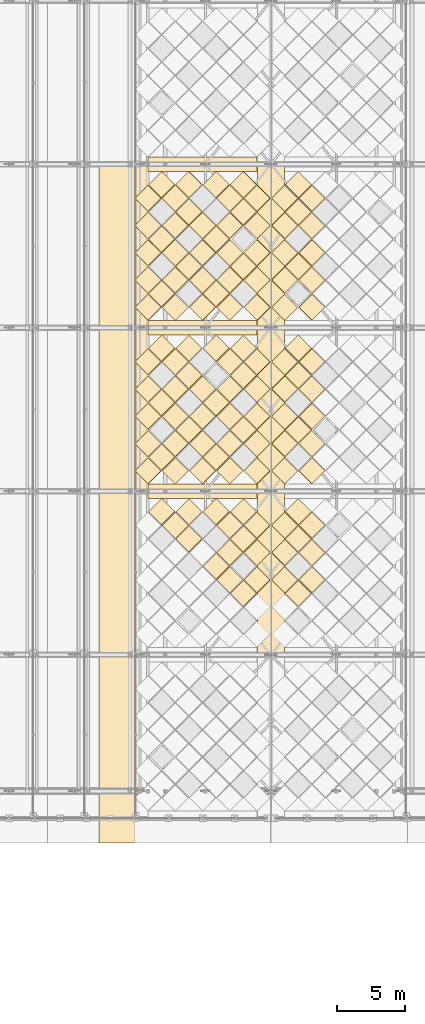
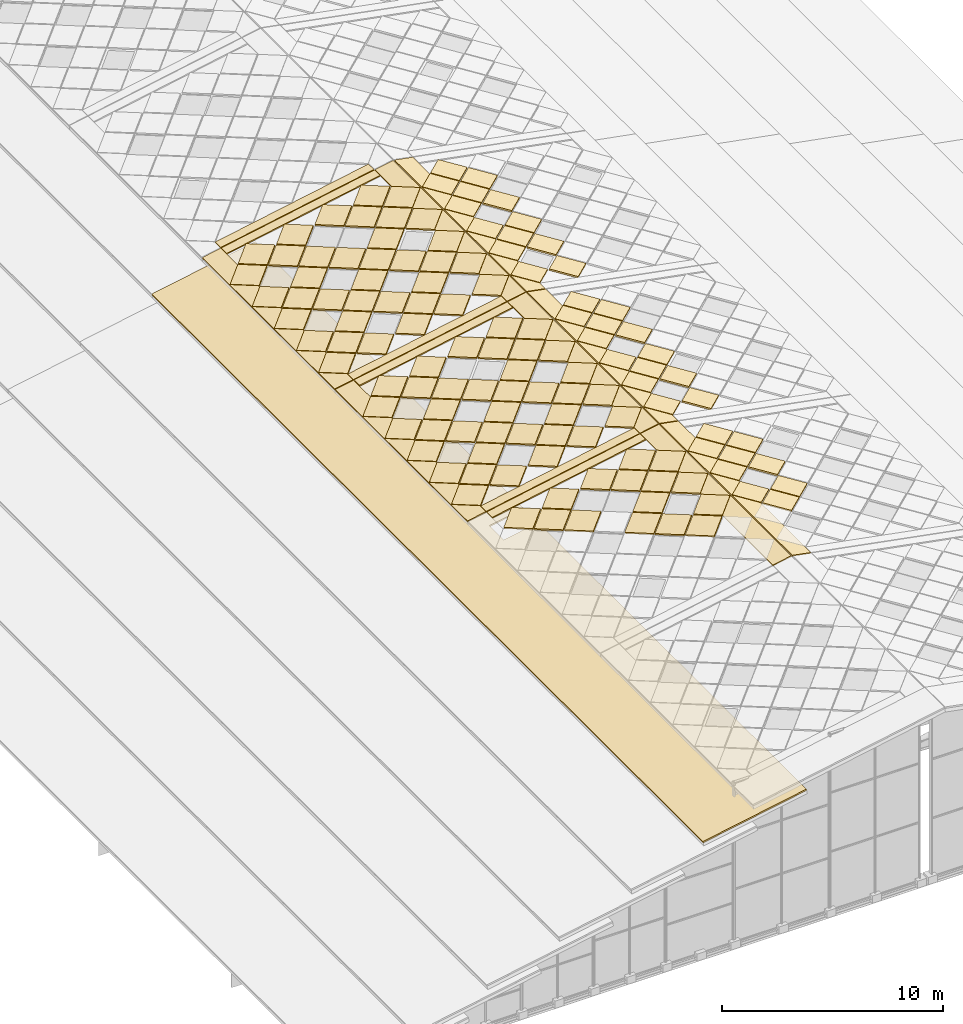
# One storey, part 113 of 117: 137 coverings.
"""IFC4 building model written with IfcOpenShell, lengths in metres."""

from ifc_helpers import new_model, si_unit, direction, frame, origin, place, context, subcontext, project, spatial, polyline, outline, extrude, material, layer, layer_set, type_object, element, save


model = new_model("IFC4")

# Units and contexts
model_context = context("Model", 3, precision=1e-05, world=origin(), true_north=direction((0.0, 1.0)))
body_context = subcontext(model_context, "Body", "Model", "MODEL_VIEW")
ifc_project = project(units=[si_unit("LENGTHUNIT", "METRE"), si_unit("AREAUNIT", "SQUARE_METRE"), si_unit("VOLUMEUNIT", "CUBIC_METRE"), si_unit("PLANEANGLEUNIT", "RADIAN"), si_unit("MASSUNIT", "GRAM", prefix="KILO")], contexts=[model_context])

# Site, building, storey
site_placement = place(None, origin())
site = spatial("IfcSite", under=ifc_project, at=site_placement, CompositionType="ELEMENT")
building_placement = place(site_placement, origin())
building = spatial("IfcBuilding", under=site, at=building_placement, Name="Merenkruunu Market Hall", CompositionType="ELEMENT")
storey_placement = place(building_placement, frame((0.0, 0.0, 22.800048828125)))
storey = spatial("IfcBuildingStorey", under=building, at=storey_placement, Name="RF", CompositionType="ELEMENT", Elevation=22.800048828125)

# Coverings
ifc_material_1 = material(Name="High-albedo white steel roof cladding", Category="steel")
ifc_layer_1 = layer(ifc_material_1, 0.080078125)
ifc_layer_set_1 = layer_set([ifc_layer_1], Name="High-albedo white steel roof cladding")
covering_type_1 = type_object("IfcCoveringType", Name="Insulated White Diamond Roof Panel RFG01", PredefinedType="ROOFING", material=ifc_layer_set_1)
for number, where, z_axis, x_axis, name in (
    (1, (26.8251953125, 33.10009765625, 1.5107421875), (-0.184711070472, 0.0, 0.982792867518), (0.700856370735, -0.70103461498, 0.131722496941), "COV-CROWN-PNL-075"),
    (2, (26.8251953125, 35.10009765625, 1.5107421875), (-0.184711070472, 0.0, 0.982792867518), (0.700856370735, -0.70103461498, 0.131722496941), "COV-CROWN-PNL-076"),
    (3, (26.8251953125, 37.10009765625, 1.5107421875), (-0.184711070472, 0.0, 0.982792867518), (0.700856370735, -0.70103461498, 0.131722496941), "COV-CROWN-PNL-077"),
    (4, (25.8251953125, 32.10009765625, 1.32275390625), (-0.184711070472, 0.0, 0.982792867518), (0.700856370735, -0.70103461498, 0.131722496941), "COV-CROWN-PNL-078"),
    (5, (25.8251953125, 36.10009765625, 1.32275390625), (-0.184711070472, 0.0, 0.982792867518), (0.700856370735, -0.70103461498, 0.131722496941), "COV-CROWN-PNL-079"),
    (6, (25.8251953125, 38.10009765625, 1.32275390625), (-0.184711070472, 0.0, 0.982792867518), (0.700856370735, -0.70103461498, 0.131722496941), "COV-CROWN-PNL-080"),
    (7, (24.8251953125, 33.10009765625, 1.134765625), (-0.184711070472, 0.0, 0.982792867518), (0.700856370735, -0.70103461498, 0.131722496941), "COV-CROWN-PNL-083"),
    (8, (24.8251953125, 35.10009765625, 1.134765625), (-0.184711070472, 0.0, 0.982792867518), (0.700856370735, -0.70103461498, 0.131722496941), "COV-CROWN-PNL-084"),
    (9, (24.8251953125, 37.10009765625, 1.134765625), (-0.184711070472, 0.0, 0.982792867518), (0.700856370735, -0.70103461498, 0.131722496941), "COV-CROWN-PNL-085"),
):
    element("IfcCovering", number, at=place(storey_placement, frame(where, z_axis=z_axis, x_axis=x_axis)), inside=storey, type_object=covering_type_1, Name=name, PredefinedType="ROOFING", context=body_context, shape_type="SweptSolid", body=[
        extrude(outline(polyline([(0.0, 0.0), (1.369697098555844, -1.1796119636642288e-16), (1.393120202621735, 1.3694968053954037), (0.0235942550949389, 1.369322702063927), (0.0, 0.0)])), origin(), (0.0, 0.0, -1.0), 0.080078125),
    ])
for number, where, z_axis, x_axis, name in (
    (10, (23.8251953125, 34.10009765625, 0.946533203125), (-0.184831776078, 0.0, 0.982770173821), (0.700856096019, -0.701018147677, 0.131811567397), "COV-CROWN-PNL-087"),
    (11, (23.8251953125, 38.10009765625, 0.946533203125), (-0.184831776078, 0.0, 0.982770173821), (0.700856096019, -0.701018147677, 0.131811567397), "COV-CROWN-PNL-088"),
    (12, (21.8251953125, 36.10009765625, 0.570556640625), (-0.184831776078, 0.0, 0.982770173821), (0.700856096019, -0.701018147677, 0.131811567397), "COV-CROWN-PNL-094"),
    (13, (21.8251953125, 38.10009765625, 0.570556640625), (-0.184831776078, 0.0, 0.982770173821), (0.700856096019, -0.701018147677, 0.131811567397), "COV-CROWN-PNL-095"),
    (14, (20.8251953125, 37.10009765625, 0.382568359375), (-0.184831776078, 0.0, 0.982770173821), (0.700856096019, -0.701018147677, 0.131811567397), "COV-CROWN-PNL-100"),
    (15, (19.8251953125, 38.10009765625, 0.194580078125), (-0.184831776078, 0.0, 0.982770173821), (0.700856096019, -0.701018147677, 0.131811567397), "COV-CROWN-PNL-103"),
):
    element("IfcCovering", number, at=place(storey_placement, frame(where, z_axis=z_axis, x_axis=x_axis)), inside=storey, type_object=covering_type_1, Name=name, PredefinedType="ROOFING", context=body_context, shape_type="SweptSolid", body=[
        extrude(outline(polyline([(0.0, 0.0), (1.3697292734952495, 5.551115123125783e-17), (1.3931839959170225, 1.3694962589931816), (0.023658049988929668, 1.3693537851152227), (0.0, 0.0)])), origin(), (0.0, 0.0, -1.0), 0.080078125),
    ])
for number, where, z_axis, x_axis, name in (
    (16, (28.85498046875, 33.10009765625, 1.87158203125), (0.184711070472, 0.0, 0.982792867518), (0.700856370735, -0.70103461498, -0.131722496941), "COV-CROWN-PNL-111"),
    (17, (28.85498046875, 35.10009765625, 1.87158203125), (0.184711070472, 0.0, 0.982792867518), (0.700856370735, -0.70103461498, -0.131722496941), "COV-CROWN-PNL-112"),
    (18, (28.85498046875, 37.10009765625, 1.87158203125), (0.184711070472, 0.0, 0.982792867518), (0.700856370735, -0.70103461498, -0.131722496941), "COV-CROWN-PNL-113"),
    (19, (29.85498046875, 32.10009765625, 1.68359375), (0.184711070472, 0.0, 0.982792867518), (0.700856370735, -0.70103461498, -0.131722496941), "COV-CROWN-PNL-114"),
    (20, (29.85498046875, 36.10009765625, 1.68359375), (0.184711070472, 0.0, 0.982792867518), (0.700856370735, -0.70103461498, -0.131722496941), "COV-CROWN-PNL-115"),
    (21, (29.85498046875, 38.10009765625, 1.68359375), (0.184711070472, 0.0, 0.982792867518), (0.700856370735, -0.70103461498, -0.131722496941), "COV-CROWN-PNL-116"),
    (22, (30.85498046875, 33.10009765625, 1.49560546875), (0.184711070472, 0.0, 0.982792867518), (0.700856370735, -0.70103461498, -0.131722496941), "COV-CROWN-PNL-119"),
    (23, (30.85498046875, 35.10009765625, 1.49560546875), (0.184711070472, 0.0, 0.982792867518), (0.700856370735, -0.70103461498, -0.131722496941), "COV-CROWN-PNL-120"),
    (24, (30.85498046875, 37.10009765625, 1.49560546875), (0.184711070472, 0.0, 0.982792867518), (0.700856370735, -0.70103461498, -0.131722496941), "COV-CROWN-PNL-121"),
    (25, (26.8251953125, 41.10009765625, 1.5107421875), (-0.184711070472, 0.0, 0.982792867518), (0.700856370735, -0.70103461498, 0.131722496941), "COV-CROWN-PNL-145"),
    (26, (26.8251953125, 43.10009765625, 1.5107421875), (-0.184711070472, 0.0, 0.982792867518), (0.700856370735, -0.70103461498, 0.131722496941), "COV-CROWN-PNL-146"),
    (27, (26.8251953125, 45.10009765625, 1.5107421875), (-0.184711070472, 0.0, 0.982792867518), (0.700856370735, -0.70103461498, 0.131722496941), "COV-CROWN-PNL-147"),
    (28, (26.8251953125, 47.10009765625, 1.5107421875), (-0.184711070472, 0.0, 0.982792867518), (0.700856370735, -0.70103461498, 0.131722496941), "COV-CROWN-PNL-148"),
    (29, (26.8251953125, 49.10009765625, 1.5107421875), (-0.184711070472, 0.0, 0.982792867518), (0.700856370735, -0.70103461498, 0.131722496941), "COV-CROWN-PNL-149"),
    (30, (25.8251953125, 44.10009765625, 1.32275390625), (-0.184711070472, 0.0, 0.982792867518), (0.700856370735, -0.70103461498, 0.131722496941), "COV-CROWN-PNL-150"),
    (31, (25.8251953125, 48.10009765625, 1.32275390625), (-0.184711070472, 0.0, 0.982792867518), (0.700856370735, -0.70103461498, 0.131722496941), "COV-CROWN-PNL-151"),
    (32, (25.8251953125, 50.10009765625, 1.32275390625), (-0.184711070472, 0.0, 0.982792867518), (0.700856370735, -0.70103461498, 0.131722496941), "COV-CROWN-PNL-152"),
    (33, (24.8251953125, 41.10009765625, 1.134765625), (-0.184711070472, 0.0, 0.982792867518), (0.700856370735, -0.70103461498, 0.131722496941), "COV-CROWN-PNL-153"),
    (34, (24.8251953125, 43.10009765625, 1.134765625), (-0.184711070472, 0.0, 0.982792867518), (0.700856370735, -0.70103461498, 0.131722496941), "COV-CROWN-PNL-154"),
    (35, (24.8251953125, 45.10009765625, 1.134765625), (-0.184711070472, 0.0, 0.982792867518), (0.700856370735, -0.70103461498, 0.131722496941), "COV-CROWN-PNL-155"),
    (36, (24.8251953125, 47.10009765625, 1.134765625), (-0.184711070472, 0.0, 0.982792867518), (0.700856370735, -0.70103461498, 0.131722496941), "COV-CROWN-PNL-156"),
    (37, (24.8251953125, 49.10009765625, 1.134765625), (-0.184711070472, 0.0, 0.982792867518), (0.700856370735, -0.70103461498, 0.131722496941), "COV-CROWN-PNL-157"),
):
    element("IfcCovering", number, at=place(storey_placement, frame(where, z_axis=z_axis, x_axis=x_axis)), inside=storey, type_object=covering_type_1, Name=name, PredefinedType="ROOFING", context=body_context, shape_type="SweptSolid", body=[
        extrude(outline(polyline([(0.0, 0.0), (1.369697098555844, -1.1796119636642288e-16), (1.393120202621735, 1.3694968053954037), (0.0235942550949389, 1.369322702063927), (0.0, 0.0)])), origin(), (0.0, 0.0, -1.0), 0.080078125),
    ])
for number, where, z_axis, x_axis, name in (
    (38, (23.8251953125, 42.10009765625, 0.946533203125), (-0.184831776078, 0.0, 0.982770173821), (0.700856096019, -0.701018147677, 0.131811567397), "COV-CROWN-PNL-158"),
    (39, (23.8251953125, 46.10009765625, 0.946533203125), (-0.184831776078, 0.0, 0.982770173821), (0.700856096019, -0.701018147677, 0.131811567397), "COV-CROWN-PNL-159"),
    (40, (23.8251953125, 50.10009765625, 0.946533203125), (-0.184831776078, 0.0, 0.982770173821), (0.700856096019, -0.701018147677, 0.131811567397), "COV-CROWN-PNL-160"),
    (41, (22.8251953125, 41.10009765625, 0.758544921875), (-0.184831776078, 0.0, 0.982770173821), (0.700856096019, -0.701018147677, 0.131811567397), "COV-CROWN-PNL-161"),
    (42, (22.8251953125, 43.10009765625, 0.758544921875), (-0.184831776078, 0.0, 0.982770173821), (0.700856096019, -0.701018147677, 0.131811567397), "COV-CROWN-PNL-162"),
    (43, (22.8251953125, 45.10009765625, 0.758544921875), (-0.184831776078, 0.0, 0.982770173821), (0.700856096019, -0.701018147677, 0.131811567397), "COV-CROWN-PNL-163"),
    (44, (22.8251953125, 47.10009765625, 0.758544921875), (-0.184831776078, 0.0, 0.982770173821), (0.700856096019, -0.701018147677, 0.131811567397), "COV-CROWN-PNL-164"),
    (45, (21.8251953125, 44.10009765625, 0.570556640625), (-0.184831776078, 0.0, 0.982770173821), (0.700856096019, -0.701018147677, 0.131811567397), "COV-CROWN-PNL-165"),
    (46, (21.8251953125, 48.10009765625, 0.570556640625), (-0.184831776078, 0.0, 0.982770173821), (0.700856096019, -0.701018147677, 0.131811567397), "COV-CROWN-PNL-166"),
    (47, (21.8251953125, 50.10009765625, 0.570556640625), (-0.184831776078, 0.0, 0.982770173821), (0.700856096019, -0.701018147677, 0.131811567397), "COV-CROWN-PNL-167"),
    (48, (20.8251953125, 41.10009765625, 0.382568359375), (-0.184831776078, 0.0, 0.982770173821), (0.700856096019, -0.701018147677, 0.131811567397), "COV-CROWN-PNL-168"),
    (49, (20.8251953125, 43.10009765625, 0.382568359375), (-0.184831776078, 0.0, 0.982770173821), (0.700856096019, -0.701018147677, 0.131811567397), "COV-CROWN-PNL-169"),
    (50, (20.8251953125, 45.10009765625, 0.382568359375), (-0.184831776078, 0.0, 0.982770173821), (0.700856096019, -0.701018147677, 0.131811567397), "COV-CROWN-PNL-170"),
    (51, (20.8251953125, 47.10009765625, 0.382568359375), (-0.184831776078, 0.0, 0.982770173821), (0.700856096019, -0.701018147677, 0.131811567397), "COV-CROWN-PNL-171"),
    (52, (20.8251953125, 49.10009765625, 0.382568359375), (-0.184831776078, 0.0, 0.982770173821), (0.700856096019, -0.701018147677, 0.131811567397), "COV-CROWN-PNL-172"),
    (53, (19.8251953125, 42.10009765625, 0.194580078125), (-0.184831776078, 0.0, 0.982770173821), (0.700856096019, -0.701018147677, 0.131811567397), "COV-CROWN-PNL-173"),
    (54, (19.8251953125, 46.10009765625, 0.194580078125), (-0.184831776078, 0.0, 0.982770173821), (0.700856096019, -0.701018147677, 0.131811567397), "COV-CROWN-PNL-174"),
    (55, (19.8251953125, 50.10009765625, 0.194580078125), (-0.184831776078, 0.0, 0.982770173821), (0.700856096019, -0.701018147677, 0.131811567397), "COV-CROWN-PNL-175"),
    (56, (18.8251953125, 41.10009765625, 0.006591796875), (-0.184831776078, 0.0, 0.982770173821), (0.700856096019, -0.701018147677, 0.131811567397), "COV-CROWN-PNL-176"),
    (57, (18.8251953125, 43.10009765625, 0.006591796875), (-0.184831776078, 0.0, 0.982770173821), (0.700856096019, -0.701018147677, 0.131811567397), "COV-CROWN-PNL-177"),
    (58, (18.8251953125, 45.10009765625, 0.006591796875), (-0.184831776078, 0.0, 0.982770173821), (0.700856096019, -0.701018147677, 0.131811567397), "COV-CROWN-PNL-178"),
    (59, (18.8251953125, 47.10009765625, 0.006591796875), (-0.184831776078, 0.0, 0.982770173821), (0.700856096019, -0.701018147677, 0.131811567397), "COV-CROWN-PNL-179"),
    (60, (18.8251953125, 49.10009765625, 0.006591796875), (-0.184831776078, 0.0, 0.982770173821), (0.700856096019, -0.701018147677, 0.131811567397), "COV-CROWN-PNL-180"),
):
    element("IfcCovering", number, at=place(storey_placement, frame(where, z_axis=z_axis, x_axis=x_axis)), inside=storey, type_object=covering_type_1, Name=name, PredefinedType="ROOFING", context=body_context, shape_type="SweptSolid", body=[
        extrude(outline(polyline([(0.0, 0.0), (1.3697292734952495, 5.551115123125783e-17), (1.3931839959170225, 1.3694962589931816), (0.023658049988929668, 1.3693537851152227), (0.0, 0.0)])), origin(), (0.0, 0.0, -1.0), 0.080078125),
    ])
for number, where, z_axis, x_axis, name in (
    (61, (28.85498046875, 41.10009765625, 1.87158203125), (0.184711070472, 0.0, 0.982792867518), (0.700856370735, -0.70103461498, -0.131722496941), "COV-CROWN-PNL-181"),
    (62, (28.85498046875, 43.10009765625, 1.87158203125), (0.184711070472, 0.0, 0.982792867518), (0.700856370735, -0.70103461498, -0.131722496941), "COV-CROWN-PNL-182"),
    (63, (28.85498046875, 45.10009765625, 1.87158203125), (0.184711070472, 0.0, 0.982792867518), (0.700856370735, -0.70103461498, -0.131722496941), "COV-CROWN-PNL-183"),
    (64, (28.85498046875, 47.10009765625, 1.87158203125), (0.184711070472, 0.0, 0.982792867518), (0.700856370735, -0.70103461498, -0.131722496941), "COV-CROWN-PNL-184"),
    (65, (28.85498046875, 49.10009765625, 1.87158203125), (0.184711070472, 0.0, 0.982792867518), (0.700856370735, -0.70103461498, -0.131722496941), "COV-CROWN-PNL-185"),
    (66, (29.85498046875, 44.10009765625, 1.68359375), (0.184711070472, 0.0, 0.982792867518), (0.700856370735, -0.70103461498, -0.131722496941), "COV-CROWN-PNL-186"),
    (67, (29.85498046875, 48.10009765625, 1.68359375), (0.184711070472, 0.0, 0.982792867518), (0.700856370735, -0.70103461498, -0.131722496941), "COV-CROWN-PNL-187"),
    (68, (29.85498046875, 50.10009765625, 1.68359375), (0.184711070472, 0.0, 0.982792867518), (0.700856370735, -0.70103461498, -0.131722496941), "COV-CROWN-PNL-188"),
    (69, (30.85498046875, 41.10009765625, 1.49560546875), (0.184711070472, 0.0, 0.982792867518), (0.700856370735, -0.70103461498, -0.131722496941), "COV-CROWN-PNL-189"),
    (70, (30.85498046875, 43.10009765625, 1.49560546875), (0.184711070472, 0.0, 0.982792867518), (0.700856370735, -0.70103461498, -0.131722496941), "COV-CROWN-PNL-190"),
    (71, (30.85498046875, 45.10009765625, 1.49560546875), (0.184711070472, 0.0, 0.982792867518), (0.700856370735, -0.70103461498, -0.131722496941), "COV-CROWN-PNL-191"),
    (72, (30.85498046875, 47.10009765625, 1.49560546875), (0.184711070472, 0.0, 0.982792867518), (0.700856370735, -0.70103461498, -0.131722496941), "COV-CROWN-PNL-192"),
    (73, (30.85498046875, 49.10009765625, 1.49560546875), (0.184711070472, 0.0, 0.982792867518), (0.700856370735, -0.70103461498, -0.131722496941), "COV-CROWN-PNL-193"),
    (74, (26.8251953125, 53.10009765625, 1.5107421875), (-0.184711070472, 0.0, 0.982792867518), (0.700856370735, -0.70103461498, 0.131722496941), "COV-CROWN-PNL-217"),
    (75, (26.8251953125, 55.10009765625, 1.5107421875), (-0.184711070472, 0.0, 0.982792867518), (0.700856370735, -0.70103461498, 0.131722496941), "COV-CROWN-PNL-218"),
    (76, (26.8251953125, 57.10009765625, 1.5107421875), (-0.184711070472, 0.0, 0.982792867518), (0.700856370735, -0.70103461498, 0.131722496941), "COV-CROWN-PNL-219"),
    (77, (26.8251953125, 59.10009765625, 1.5107421875), (-0.184711070472, 0.0, 0.982792867518), (0.700856370735, -0.70103461498, 0.131722496941), "COV-CROWN-PNL-220"),
    (78, (26.8251953125, 61.10009765625, 1.5107421875), (-0.184711070472, 0.0, 0.982792867518), (0.700856370735, -0.70103461498, 0.131722496941), "COV-CROWN-PNL-221"),
    (79, (25.8251953125, 56.10009765625, 1.32275390625), (-0.184711070472, 0.0, 0.982792867518), (0.700856370735, -0.70103461498, 0.131722496941), "COV-CROWN-PNL-222"),
    (80, (25.8251953125, 60.10009765625, 1.32275390625), (-0.184711070472, 0.0, 0.982792867518), (0.700856370735, -0.70103461498, 0.131722496941), "COV-CROWN-PNL-223"),
    (81, (25.8251953125, 62.10009765625, 1.32275390625), (-0.184711070472, 0.0, 0.982792867518), (0.700856370735, -0.70103461498, 0.131722496941), "COV-CROWN-PNL-224"),
    (82, (24.8251953125, 53.10009765625, 1.134765625), (-0.184711070472, 0.0, 0.982792867518), (0.700856370735, -0.70103461498, 0.131722496941), "COV-CROWN-PNL-225"),
    (83, (24.8251953125, 55.10009765625, 1.134765625), (-0.184711070472, 0.0, 0.982792867518), (0.700856370735, -0.70103461498, 0.131722496941), "COV-CROWN-PNL-226"),
    (84, (24.8251953125, 57.10009765625, 1.134765625), (-0.184711070472, 0.0, 0.982792867518), (0.700856370735, -0.70103461498, 0.131722496941), "COV-CROWN-PNL-227"),
    (85, (24.8251953125, 59.10009765625, 1.134765625), (-0.184711070472, 0.0, 0.982792867518), (0.700856370735, -0.70103461498, 0.131722496941), "COV-CROWN-PNL-228"),
    (86, (24.8251953125, 61.10009765625, 1.134765625), (-0.184711070472, 0.0, 0.982792867518), (0.700856370735, -0.70103461498, 0.131722496941), "COV-CROWN-PNL-229"),
):
    element("IfcCovering", number, at=place(storey_placement, frame(where, z_axis=z_axis, x_axis=x_axis)), inside=storey, type_object=covering_type_1, Name=name, PredefinedType="ROOFING", context=body_context, shape_type="SweptSolid", body=[
        extrude(outline(polyline([(0.0, 0.0), (1.369697098555844, -1.1796119636642288e-16), (1.393120202621735, 1.3694968053954037), (0.0235942550949389, 1.369322702063927), (0.0, 0.0)])), origin(), (0.0, 0.0, -1.0), 0.080078125),
    ])
for number, where, z_axis, x_axis, name in (
    (87, (23.8251953125, 54.10009765625, 0.946533203125), (-0.184831776078, 0.0, 0.982770173821), (0.700856096019, -0.701018147677, 0.131811567397), "COV-CROWN-PNL-230"),
    (88, (23.8251953125, 58.10009765625, 0.946533203125), (-0.184831776078, 0.0, 0.982770173821), (0.700856096019, -0.701018147677, 0.131811567397), "COV-CROWN-PNL-231"),
    (89, (23.8251953125, 62.10009765625, 0.946533203125), (-0.184831776078, 0.0, 0.982770173821), (0.700856096019, -0.701018147677, 0.131811567397), "COV-CROWN-PNL-232"),
    (90, (22.8251953125, 53.10009765625, 0.758544921875), (-0.184831776078, 0.0, 0.982770173821), (0.700856096019, -0.701018147677, 0.131811567397), "COV-CROWN-PNL-233"),
    (91, (22.8251953125, 55.10009765625, 0.758544921875), (-0.184831776078, 0.0, 0.982770173821), (0.700856096019, -0.701018147677, 0.131811567397), "COV-CROWN-PNL-234"),
    (92, (22.8251953125, 57.10009765625, 0.758544921875), (-0.184831776078, 0.0, 0.982770173821), (0.700856096019, -0.701018147677, 0.131811567397), "COV-CROWN-PNL-235"),
    (93, (22.8251953125, 59.10009765625, 0.758544921875), (-0.184831776078, 0.0, 0.982770173821), (0.700856096019, -0.701018147677, 0.131811567397), "COV-CROWN-PNL-236"),
    (94, (21.8251953125, 56.10009765625, 0.570556640625), (-0.184831776078, 0.0, 0.982770173821), (0.700856096019, -0.701018147677, 0.131811567397), "COV-CROWN-PNL-237"),
    (95, (21.8251953125, 60.10009765625, 0.570556640625), (-0.184831776078, 0.0, 0.982770173821), (0.700856096019, -0.701018147677, 0.131811567397), "COV-CROWN-PNL-238"),
    (96, (21.8251953125, 62.10009765625, 0.570556640625), (-0.184831776078, 0.0, 0.982770173821), (0.700856096019, -0.701018147677, 0.131811567397), "COV-CROWN-PNL-239"),
    (97, (20.8251953125, 53.10009765625, 0.382568359375), (-0.184831776078, 0.0, 0.982770173821), (0.700856096019, -0.701018147677, 0.131811567397), "COV-CROWN-PNL-240"),
    (98, (20.8251953125, 55.10009765625, 0.382568359375), (-0.184831776078, 0.0, 0.982770173821), (0.700856096019, -0.701018147677, 0.131811567397), "COV-CROWN-PNL-241"),
    (99, (20.8251953125, 57.10009765625, 0.382568359375), (-0.184831776078, 0.0, 0.982770173821), (0.700856096019, -0.701018147677, 0.131811567397), "COV-CROWN-PNL-242"),
    (100, (20.8251953125, 59.10009765625, 0.382568359375), (-0.184831776078, 0.0, 0.982770173821), (0.700856096019, -0.701018147677, 0.131811567397), "COV-CROWN-PNL-243"),
    (101, (20.8251953125, 61.10009765625, 0.382568359375), (-0.184831776078, 0.0, 0.982770173821), (0.700856096019, -0.701018147677, 0.131811567397), "COV-CROWN-PNL-244"),
    (102, (19.8251953125, 54.10009765625, 0.194580078125), (-0.184831776078, 0.0, 0.982770173821), (0.700856096019, -0.701018147677, 0.131811567397), "COV-CROWN-PNL-245"),
    (103, (19.8251953125, 58.10009765625, 0.194580078125), (-0.184831776078, 0.0, 0.982770173821), (0.700856096019, -0.701018147677, 0.131811567397), "COV-CROWN-PNL-246"),
    (104, (19.8251953125, 62.10009765625, 0.194580078125), (-0.184831776078, 0.0, 0.982770173821), (0.700856096019, -0.701018147677, 0.131811567397), "COV-CROWN-PNL-247"),
    (105, (18.8251953125, 53.10009765625, 0.006591796875), (-0.184831776078, 0.0, 0.982770173821), (0.700856096019, -0.701018147677, 0.131811567397), "COV-CROWN-PNL-248"),
    (106, (18.8251953125, 55.10009765625, 0.006591796875), (-0.184831776078, 0.0, 0.982770173821), (0.700856096019, -0.701018147677, 0.131811567397), "COV-CROWN-PNL-249"),
    (107, (18.8251953125, 57.10009765625, 0.006591796875), (-0.184831776078, 0.0, 0.982770173821), (0.700856096019, -0.701018147677, 0.131811567397), "COV-CROWN-PNL-250"),
    (108, (18.8251953125, 59.10009765625, 0.006591796875), (-0.184831776078, 0.0, 0.982770173821), (0.700856096019, -0.701018147677, 0.131811567397), "COV-CROWN-PNL-251"),
    (109, (18.8251953125, 61.10009765625, 0.006591796875), (-0.184831776078, 0.0, 0.982770173821), (0.700856096019, -0.701018147677, 0.131811567397), "COV-CROWN-PNL-252"),
):
    element("IfcCovering", number, at=place(storey_placement, frame(where, z_axis=z_axis, x_axis=x_axis)), inside=storey, type_object=covering_type_1, Name=name, PredefinedType="ROOFING", context=body_context, shape_type="SweptSolid", body=[
        extrude(outline(polyline([(0.0, 0.0), (1.3697292734952495, 5.551115123125783e-17), (1.3931839959170225, 1.3694962589931816), (0.023658049988929668, 1.3693537851152227), (0.0, 0.0)])), origin(), (0.0, 0.0, -1.0), 0.080078125),
    ])
for number, where, z_axis, x_axis, name in (
    (110, (28.85498046875, 53.10009765625, 1.87158203125), (0.184711070472, 0.0, 0.982792867518), (0.700856370735, -0.70103461498, -0.131722496941), "COV-CROWN-PNL-253"),
    (111, (28.85498046875, 55.10009765625, 1.87158203125), (0.184711070472, 0.0, 0.982792867518), (0.700856370735, -0.70103461498, -0.131722496941), "COV-CROWN-PNL-254"),
    (112, (28.85498046875, 57.10009765625, 1.87158203125), (0.184711070472, 0.0, 0.982792867518), (0.700856370735, -0.70103461498, -0.131722496941), "COV-CROWN-PNL-255"),
    (113, (28.85498046875, 59.10009765625, 1.87158203125), (0.184711070472, 0.0, 0.982792867518), (0.700856370735, -0.70103461498, -0.131722496941), "COV-CROWN-PNL-256"),
    (114, (28.85498046875, 61.10009765625, 1.87158203125), (0.184711070472, 0.0, 0.982792867518), (0.700856370735, -0.70103461498, -0.131722496941), "COV-CROWN-PNL-257"),
    (115, (29.85498046875, 56.10009765625, 1.68359375), (0.184711070472, 0.0, 0.982792867518), (0.700856370735, -0.70103461498, -0.131722496941), "COV-CROWN-PNL-258"),
    (116, (29.85498046875, 60.10009765625, 1.68359375), (0.184711070472, 0.0, 0.982792867518), (0.700856370735, -0.70103461498, -0.131722496941), "COV-CROWN-PNL-259"),
    (117, (29.85498046875, 62.10009765625, 1.68359375), (0.184711070472, 0.0, 0.982792867518), (0.700856370735, -0.70103461498, -0.131722496941), "COV-CROWN-PNL-260"),
    (118, (30.85498046875, 53.10009765625, 1.49560546875), (0.184711070472, 0.0, 0.982792867518), (0.700856370735, -0.70103461498, -0.131722496941), "COV-CROWN-PNL-261"),
    (119, (30.85498046875, 55.10009765625, 1.49560546875), (0.184711070472, 0.0, 0.982792867518), (0.700856370735, -0.70103461498, -0.131722496941), "COV-CROWN-PNL-262"),
    (120, (30.85498046875, 57.10009765625, 1.49560546875), (0.184711070472, 0.0, 0.982792867518), (0.700856370735, -0.70103461498, -0.131722496941), "COV-CROWN-PNL-263"),
    (121, (30.85498046875, 59.10009765625, 1.49560546875), (0.184711070472, 0.0, 0.982792867518), (0.700856370735, -0.70103461498, -0.131722496941), "COV-CROWN-PNL-264"),
    (122, (30.85498046875, 61.10009765625, 1.49560546875), (0.184711070472, 0.0, 0.982792867518), (0.700856370735, -0.70103461498, -0.131722496941), "COV-CROWN-PNL-265"),
):
    element("IfcCovering", number, at=place(storey_placement, frame(where, z_axis=z_axis, x_axis=x_axis)), inside=storey, type_object=covering_type_1, Name=name, PredefinedType="ROOFING", context=body_context, shape_type="SweptSolid", body=[
        extrude(outline(polyline([(0.0, 0.0), (1.369697098555844, -1.1796119636642288e-16), (1.393120202621735, 1.3694968053954037), (0.0235942550949389, 1.369322702063927), (0.0, 0.0)])), origin(), (0.0, 0.0, -1.0), 0.080078125),
    ])
covering_1_placement = place(storey_placement, frame((16.185302734375, 13.800048828125, -1.120849609375), z_axis=(-0.182264364095, 0.0, 0.983249562207), x_axis=(0.983249562207, 0.0, 0.182264364095)))
element("IfcCovering", 123, at=covering_1_placement, inside=storey, type_object=covering_type_1, Name="COV-SLRF-047", PredefinedType="ROOFING", context=body_context, shape_type="SweptSolid", body=[
    extrude(outline(polyline([(0.0, 0.0), (5.491893972092966, 0.0), (5.491893972092966, 49.800048828125), (0.0, 49.800048828125), (0.0, 0.0)]), holes=[polyline([(3.661407849458488, 24.25), (4.983359899398421, 24.25), (4.983359899398421, 25.550048828125), (3.661407849458488, 25.550048828125), (3.661407849458488, 24.25)])]), origin(), (0.0, 0.0, -1.0), 0.080078125),
])
ifc_material_2 = material(Name="High-albedo white roof membrane")
ifc_layer_2 = layer(ifc_material_2, 0.06005859375)
ifc_layer_set_2 = layer_set([ifc_layer_2], Name="High-albedo white roof membrane")
covering_type_2 = type_object("IfcCoveringType", Name="Warm Membrane Roof Covering RFG02", PredefinedType="ROOFING", material=ifc_layer_set_2)
covering_2_placement = place(storey_placement, frame((27.808837890625, 27.6201171875, 1.675048828125), z_axis=(-0.184952473321, 0.0, 0.982747466348), x_axis=(0.982747466348, 0.0, 0.184952473321)))
element("IfcCovering", 124, at=covering_2_placement, inside=storey, type_object=covering_type_2, Name="COV-CROWN-TRIM-009", PredefinedType="ROOFING", context=body_context, shape_type="SweptSolid", body=[
    extrude(outline(polyline([(0.0, 0.0), (0.9768134443202975, 0.0), (0.9768134443202975, 11.9599609375), (0.0, 11.9599609375), (0.0, 0.0)])), origin(), (0.0, 0.0, -1.0), 0.06005859375),
])
covering_3_placement = place(storey_placement, frame((19.788818359375, 39.080078125, 0.16748046875), z_axis=(-0.184752092456, 0.0, 0.982785156753), x_axis=(0.982785156753, 0.0, 0.184752092456)))
element("IfcCovering", 125, at=covering_3_placement, inside=storey, type_object=covering_type_2, Name="COV-CROWN-TRIM-012", PredefinedType="ROOFING", context=body_context, shape_type="SweptSolid", body=[
    extrude(outline(polyline([(0.0, 0.0), (8.140131080565538, 0.0), (8.140131080565538, 0.5000000000000001), (0.0, 0.5000000000000001), (0.0, 0.0)])), origin(), (0.0, 0.0, -1.0), 0.06005859375),
])
for number, where, z_axis, x_axis, name in (
    (126, (28.831298828125, 27.6201171875, 1.855712890625), (0.184952473321, 0.0, 0.982747466348), (0.982747466348, 0.0, -0.184952473321), "COV-CROWN-TRIM-013"),
    (127, (27.808837890625, 39.6201171875, 1.675048828125), (-0.184952473321, 0.0, 0.982747466348), (0.982747466348, 0.0, 0.184952473321), "COV-CROWN-TRIM-017"),
):
    element("IfcCovering", number, at=place(storey_placement, frame(where, z_axis=z_axis, x_axis=x_axis)), inside=storey, type_object=covering_type_2, Name=name, PredefinedType="ROOFING", context=body_context, shape_type="SweptSolid", body=[
        extrude(outline(polyline([(0.0, 0.0), (0.9768134443202975, 0.0), (0.9768134443202975, 11.9599609375), (0.0, 11.9599609375), (0.0, 0.0)])), origin(), (0.0, 0.0, -1.0), 0.06005859375),
    ])
covering_4_placement = place(storey_placement, frame((18.808837890625, 39.6201171875, -0.016845703125), z_axis=(-0.184711070472, 0.0, 0.982792867518), x_axis=(0.982792867518, 0.0, 0.184711070472)))
element("IfcCovering", 128, at=covering_4_placement, inside=storey, type_object=covering_type_2, Name="COV-CROWN-TRIM-018", PredefinedType="ROOFING", context=body_context, shape_type="SweptSolid", body=[
    extrude(outline(polyline([(0.0, 0.0), (0.9767683193753063, 0.0), (0.9767683193753063, 11.9599609375), (0.0, 11.9599609375), (0.0, 0.0)])), origin(), (0.0, 0.0, -1.0), 0.06005859375),
])
for number, where, z_axis, x_axis, name in (
    (129, (19.788818359375, 39.6201171875, 0.16748046875), (-0.184752092456, 0.0, 0.982785156753), (0.982785156753, 0.0, 0.184752092456), "COV-CROWN-TRIM-019"),
    (130, (19.788818359375, 51.080078125, 0.16748046875), (-0.184752092456, 0.0, 0.982785156753), (0.982785156753, 0.0, 0.184752092456), "COV-CROWN-TRIM-020"),
):
    element("IfcCovering", number, at=place(storey_placement, frame(where, z_axis=z_axis, x_axis=x_axis)), inside=storey, type_object=covering_type_2, Name=name, PredefinedType="ROOFING", context=body_context, shape_type="SweptSolid", body=[
        extrude(outline(polyline([(0.0, 0.0), (8.140131080565538, 0.0), (8.140131080565538, 0.5000000000000001), (0.0, 0.5000000000000001), (0.0, 0.0)])), origin(), (0.0, 0.0, -1.0), 0.06005859375),
    ])
for number, where, z_axis, x_axis, name in (
    (131, (28.831298828125, 39.6201171875, 1.855712890625), (0.184952473321, 0.0, 0.982747466348), (0.982747466348, 0.0, -0.184952473321), "COV-CROWN-TRIM-021"),
    (132, (27.808837890625, 51.6201171875, 1.675048828125), (-0.184952473321, 0.0, 0.982747466348), (0.982747466348, 0.0, 0.184952473321), "COV-CROWN-TRIM-025"),
):
    element("IfcCovering", number, at=place(storey_placement, frame(where, z_axis=z_axis, x_axis=x_axis)), inside=storey, type_object=covering_type_2, Name=name, PredefinedType="ROOFING", context=body_context, shape_type="SweptSolid", body=[
        extrude(outline(polyline([(0.0, 0.0), (0.9768134443202975, 0.0), (0.9768134443202975, 11.9599609375), (0.0, 11.9599609375), (0.0, 0.0)])), origin(), (0.0, 0.0, -1.0), 0.06005859375),
    ])
covering_5_placement = place(storey_placement, frame((18.808837890625, 51.6201171875, -0.016845703125), z_axis=(-0.184711070472, 0.0, 0.982792867518), x_axis=(0.982792867518, 0.0, 0.184711070472)))
element("IfcCovering", 133, at=covering_5_placement, inside=storey, type_object=covering_type_2, Name="COV-CROWN-TRIM-026", PredefinedType="ROOFING", context=body_context, shape_type="SweptSolid", body=[
    extrude(outline(polyline([(0.0, 0.0), (0.9767683193753063, 0.0), (0.9767683193753063, 11.9599609375), (0.0, 11.9599609375), (0.0, 0.0)])), origin(), (0.0, 0.0, -1.0), 0.06005859375),
])
for number, where, z_axis, x_axis, name in (
    (134, (19.788818359375, 51.6201171875, 0.16748046875), (-0.184752092456, 0.0, 0.982785156753), (0.982785156753, 0.0, 0.184752092456), "COV-CROWN-TRIM-027"),
    (135, (19.788818359375, 63.080078125, 0.16748046875), (-0.184752092456, 0.0, 0.982785156753), (0.982785156753, 0.0, 0.184752092456), "COV-CROWN-TRIM-028"),
):
    element("IfcCovering", number, at=place(storey_placement, frame(where, z_axis=z_axis, x_axis=x_axis)), inside=storey, type_object=covering_type_2, Name=name, PredefinedType="ROOFING", context=body_context, shape_type="SweptSolid", body=[
        extrude(outline(polyline([(0.0, 0.0), (8.140131080565538, 0.0), (8.140131080565538, 0.5000000000000001), (0.0, 0.5000000000000001), (0.0, 0.0)])), origin(), (0.0, 0.0, -1.0), 0.06005859375),
    ])
covering_6_placement = place(storey_placement, frame((28.831298828125, 51.6201171875, 1.855712890625), z_axis=(0.184952473321, 0.0, 0.982747466348), x_axis=(0.982747466348, 0.0, -0.184952473321)))
element("IfcCovering", 136, at=covering_6_placement, inside=storey, type_object=covering_type_2, Name="COV-CROWN-TRIM-029", PredefinedType="ROOFING", context=body_context, shape_type="SweptSolid", body=[
    extrude(outline(polyline([(0.0, 0.0), (0.9768134443202975, 0.0), (0.9768134443202975, 11.9599609375), (0.0, 11.9599609375), (0.0, 0.0)])), origin(), (0.0, 0.0, -1.0), 0.06005859375),
])
covering_7_placement = place(storey_placement, frame((19.788818359375, 63.6201171875, 0.16748046875), z_axis=(-0.184752092456, 0.0, 0.982785156753), x_axis=(0.982785156753, 0.0, 0.184752092456)))
element("IfcCovering", 137, at=covering_7_placement, inside=storey, type_object=covering_type_2, Name="COV-CROWN-TRIM-035", PredefinedType="ROOFING", context=body_context, shape_type="SweptSolid", body=[
    extrude(outline(polyline([(0.0, 0.0), (8.140131080565538, 0.0), (8.140131080565538, 0.5000000000000001), (0.0, 0.5000000000000001), (0.0, 0.0)])), origin(), (0.0, 0.0, -1.0), 0.06005859375),
])

save(model, "model.ifc")
